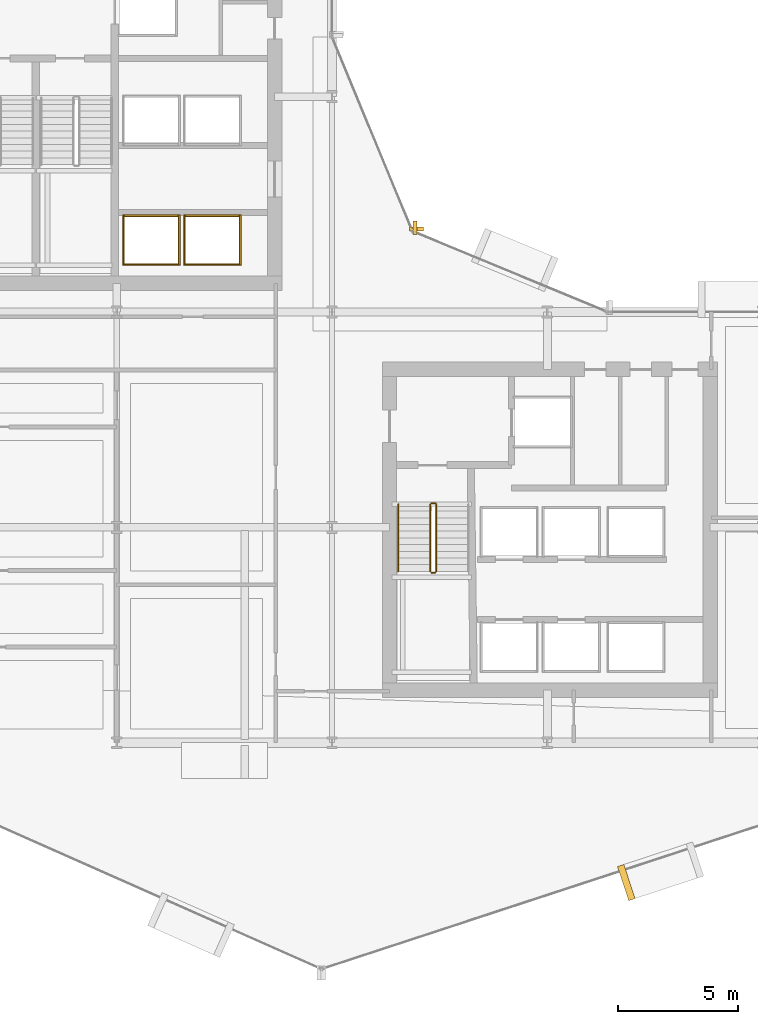
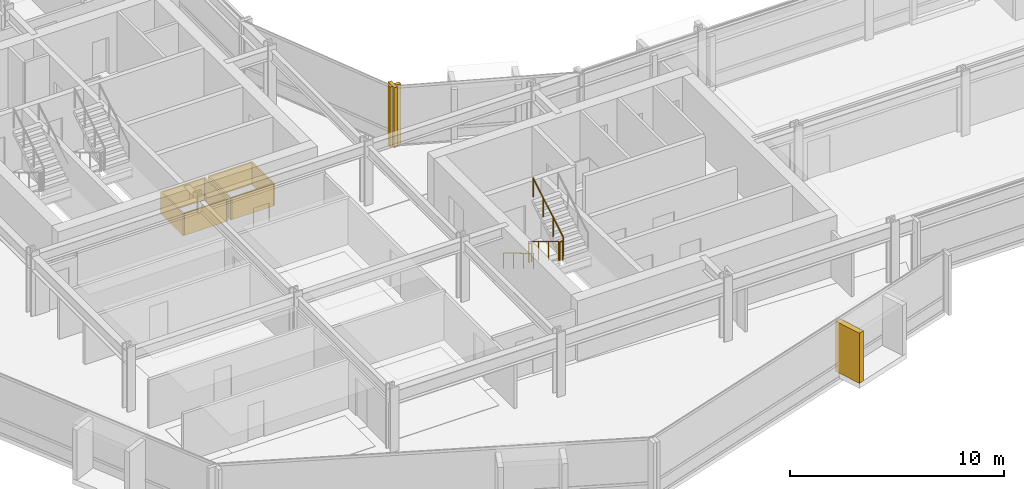
# One storey, part 31 of 34: 11 coverings, 5 railings.
"""IFC4 building model written with IfcOpenShell, lengths in metres."""

from ifc_helpers import new_model, si_unit, direction, frame, origin, origin_2d, place, context, subcontext, project, spatial, rectangle, circle, extrude, material, layer, layer_set, type_object, element, save


model = new_model("IFC4")

# Units and contexts
model_context = context("Model", 3, precision=1e-05, world=origin(), true_north=direction((0.0, 1.0)))
body_context = subcontext(model_context, "Body", "Model", "MODEL_VIEW")
ifc_project = project(units=[si_unit("LENGTHUNIT", "METRE"), si_unit("AREAUNIT", "SQUARE_METRE"), si_unit("VOLUMEUNIT", "CUBIC_METRE"), si_unit("PLANEANGLEUNIT", "RADIAN"), si_unit("MASSUNIT", "GRAM", prefix="KILO")], contexts=[model_context])

# Site, building, storey
site_placement = place(None, origin())
site = spatial("IfcSite", under=ifc_project, at=site_placement, CompositionType="ELEMENT")
building_placement = place(site_placement, origin())
building = spatial("IfcBuilding", under=site, at=building_placement, Name="Solvaryn Broadcast Tower", CompositionType="ELEMENT")
storey_placement = place(building_placement, frame((0.0, 0.0, 65.60009765625)))
storey = spatial("IfcBuildingStorey", under=building, at=storey_placement, Name="L15", CompositionType="ELEMENT", Elevation=65.60009765625)

# Coverings
ifc_material_1 = material(Name="Fire-Rated Gypsum Shaftwall Liner", Category="concrete")
ifc_layer_1 = layer(ifc_material_1, 0.080078125)
ifc_layer_set_1 = layer_set([ifc_layer_1], Name="CV-SHAFT-LINER")
covering_type_1 = type_object("IfcCoveringType", Name="CV-SHAFT-LINER", PredefinedType="CLADDING", material=ifc_layer_set_1)
for number, where, z_axis, x_axis, name in (
    (1, (19.449951171875, 31.014892578125, 0.0), (0.0, 0.0, 1.0), (1.0, 0.0, 0.0), "L15 PH1 Hoistway Shaft Liner North"),
    (2, (19.449951171875, 28.985107421875, 0.0), (0.0, 0.0, 1.0), (1.0, 0.0, 0.0), "L15 PH1 Hoistway Shaft Liner South"),
):
    element("IfcCovering", number, at=place(storey_placement, frame(where, z_axis=z_axis, x_axis=x_axis)), inside=storey, type_object=covering_type_1, Name=name, PredefinedType="CLADDING", context=body_context, shape_type="SweptSolid", body=[
        extrude(rectangle(XDim=2.409912109375, YDim=0.080078125, at=origin_2d()), origin(), (0.0, 0.0, 1.0), 1.25),
    ])
for number, where, z_axis, x_axis, name in (
    (3, (20.614990234375, 30.0, 0.0), (0.0, 0.0, 1.0), (1.0, 0.0, 0.0), "L15 PH1 Hoistway Shaft Liner East"),
    (4, (18.284912109375, 30.0, 0.0), (0.0, 0.0, 1.0), (1.0, 0.0, 0.0), "L15 PH1 Hoistway Shaft Liner West"),
):
    element("IfcCovering", number, at=place(storey_placement, frame(where, z_axis=z_axis, x_axis=x_axis)), inside=storey, type_object=covering_type_1, Name=name, PredefinedType="CLADDING", context=body_context, shape_type="SweptSolid", body=[
        extrude(rectangle(XDim=0.080078125, YDim=2.110107421875, at=origin_2d()), origin(), (0.0, 0.0, 1.0), 1.25),
    ])
for number, where, z_axis, x_axis, name in (
    (5, (22.0, 31.014892578125, 0.0), (0.0, 0.0, 1.0), (1.0, 0.0, 0.0), "L15 PH2 Hoistway Shaft Liner North"),
    (6, (22.0, 28.985107421875, 0.0), (0.0, 0.0, 1.0), (1.0, 0.0, 0.0), "L15 PH2 Hoistway Shaft Liner South"),
):
    element("IfcCovering", number, at=place(storey_placement, frame(where, z_axis=z_axis, x_axis=x_axis)), inside=storey, type_object=covering_type_1, Name=name, PredefinedType="CLADDING", context=body_context, shape_type="SweptSolid", body=[
        extrude(rectangle(XDim=2.409912109375, YDim=0.080078125, at=origin_2d()), origin(), (0.0, 0.0, 1.0), 1.25),
    ])
for number, where, z_axis, x_axis, name in (
    (7, (23.1650390625, 30.0, 0.0), (0.0, 0.0, 1.0), (1.0, 0.0, 0.0), "L15 PH2 Hoistway Shaft Liner East"),
    (8, (20.8349609375, 30.0, 0.0), (0.0, 0.0, 1.0), (1.0, 0.0, 0.0), "L15 PH2 Hoistway Shaft Liner West"),
):
    element("IfcCovering", number, at=place(storey_placement, frame(where, z_axis=z_axis, x_axis=x_axis)), inside=storey, type_object=covering_type_1, Name=name, PredefinedType="CLADDING", context=body_context, shape_type="SweptSolid", body=[
        extrude(rectangle(XDim=0.080078125, YDim=2.110107421875, at=origin_2d()), origin(), (0.0, 0.0, 1.0), 1.25),
    ])
ifc_material_2 = material(Name="Glazed Architectural Terracotta Rainscreen Cladding", Category="masonry")
ifc_layer_2 = layer(ifc_material_2, 0.280029296875)
ifc_layer_set_2 = layer_set([ifc_layer_2], Name="CV-TC-CLAD")
covering_type_2 = type_object("IfcCoveringType", Name="CV-TC-CLAD", PredefinedType="CLADDING", material=ifc_layer_set_2)
covering_1_placement = place(storey_placement, frame((39.298095703125, 3.155517578125, 0.27978515625), z_axis=(0.0, 0.0, 1.0), x_axis=(0.950189870912, 0.311671636848, 0.0)))
element("IfcCovering", 9, at=covering_1_placement, inside=storey, type_object=covering_type_2, Name="L15 Projecting Stone Window Box Cheek 4-1", PredefinedType="CLADDING", context=body_context, shape_type="SweptSolid", body=[
    extrude(rectangle(XDim=0.280029296875, YDim=1.5, at=origin_2d()), origin(), (0.0, 0.0, 1.0), 2.860107421875),
])
ifc_material_3 = material(Name="Extruded Architectural Terracotta Fin", Category="masonry")
ifc_layer_3 = layer(ifc_material_3, 0.179931640625)
ifc_layer_set_3 = layer_set([ifc_layer_3], Name="CV-TC-FIN")
covering_type_3 = type_object("IfcCoveringType", Name="CV-TC-FIN", PredefinedType="USERDEFINED", material=ifc_layer_set_3)
covering_2_placement = place(storey_placement, frame((30.464599609375, 30.52294921875, 0.0), z_axis=(0.0, 0.0, 1.0), x_axis=(1.0, 0.0, 0.0)))
element("IfcCovering", 10, at=covering_2_placement, inside=storey, type_object=covering_type_3, Name="L15 Terracotta Vertical Fin FIN-L15-CN1-M01", ObjectType="FIN", PredefinedType="USERDEFINED", context=body_context, shape_type="SweptSolid", body=[
    extrude(rectangle(XDim=0.179931640625, YDim=0.580078125, at=origin_2d()), origin(), (0.0, 0.0, 1.0), 3.419921875),
])
covering_3_placement = place(storey_placement, frame((30.52294921875, 30.464599609375, 0.0), z_axis=(0.0, 0.0, 1.0), x_axis=(1.0, 0.0, 0.0)))
element("IfcCovering", 11, at=covering_3_placement, inside=storey, type_object=covering_type_3, Name="L15 Terracotta Vertical Fin FIN-L15-CN2-M00", ObjectType="FIN", PredefinedType="USERDEFINED", context=body_context, shape_type="SweptSolid", body=[
    extrude(rectangle(XDim=0.580078125, YDim=0.179931640625, at=origin_2d()), origin(), (0.0, 0.0, 1.0), 3.419921875),
])

# Railings
ifc_material_4 = material(Name="Painted Steel Stair Well Guard", Category="steel")
railing_type_1 = type_object("IfcRailingType", Name="RL-STAIR-GUARD", PredefinedType="BALUSTRADE", material=ifc_material_4)
railing_1_placement = place(storey_placement, frame((31.110107421875, 18.9599609375, 0.16796875)))
element("IfcRailing", 12, at=railing_1_placement, inside=storey, type_object=railing_type_1, Name="L15 ST3 stair guard 1", PredefinedType="BALUSTRADE", context=body_context, shape_type="SweptSolid", body=[
    extrude(circle(Radius=0.02392578125, at=origin_2d()), frame((0.0, 0.0, 1.076171875), z_axis=(0.0, -0.857242210791, 0.514913383045), x_axis=(1.0, 0.0, 0.0)), (0.0, 0.0, 1.0), 3.266357421875),
    extrude(circle(Radius=0.02099609375, at=origin_2d()), origin(), (0.0, 0.0, 1.0), 1.052001953125),
    extrude(circle(Radius=0.02099609375, at=origin_2d()), frame((0.0, -0.933349609375, 0.560546875)), (0.0, 0.0, 1.0), 1.052001953125),
    extrude(circle(Radius=0.02099609375, at=origin_2d()), frame((0.0, -1.86669921875, 1.121337890625)), (0.0, 0.0, 1.0), 1.052001953125),
    extrude(circle(Radius=0.02099609375, at=origin_2d()), frame((0.0, -2.800048828125, 1.681884765625)), (0.0, 0.0, 1.0), 1.052001953125),
])
railing_2_placement = place(storey_placement, frame((31.159912109375, 16.110107421875, 1.849853515625)))
element("IfcRailing", 13, at=railing_2_placement, inside=storey, type_object=railing_type_1, Name="L15 ST3 stair guard 2", PredefinedType="BALUSTRADE", context=body_context, shape_type="SweptSolid", body=[
    extrude(circle(Radius=0.02392578125, at=origin_2d()), frame((0.0, 0.0, 1.076171875), z_axis=(1.0, 0.0, 0.0), x_axis=(0.0, 1.0, 0.0)), (0.0, 0.0, 1.0), 0.150146484375),
    extrude(circle(Radius=0.02099609375, at=origin_2d()), origin(), (0.0, 0.0, 1.0), 1.052001953125),
    extrude(circle(Radius=0.02099609375, at=origin_2d()), frame((0.150146484375, 0.0, 0.0)), (0.0, 0.0, 1.0), 1.052001953125),
])
railing_3_placement = place(storey_placement, frame((31.360107421875, 16.159912109375, 2.01806640625)))
element("IfcRailing", 14, at=railing_3_placement, inside=storey, type_object=railing_type_1, Name="L15 ST3 stair guard 3", PredefinedType="BALUSTRADE", context=body_context, shape_type="SweptSolid", body=[
    extrude(circle(Radius=0.02392578125, at=origin_2d()), frame((0.0, 0.0, 1.076171875), z_axis=(0.0, 0.857242210791, 0.514913383045), x_axis=(-1.0, 0.0, 0.0)), (0.0, 0.0, 1.0), 3.266357421875),
    extrude(circle(Radius=0.02099609375, at=origin_2d()), origin(), (0.0, 0.0, 1.0), 1.052001953125),
    extrude(circle(Radius=0.02099609375, at=origin_2d()), frame((0.0, 0.933349609375, 0.560546875)), (0.0, 0.0, 1.0), 1.052001953125),
    extrude(circle(Radius=0.02099609375, at=origin_2d()), frame((0.0, 1.86669921875, 1.121337890625)), (0.0, 0.0, 1.0), 1.052001953125),
    extrude(circle(Radius=0.02099609375, at=origin_2d()), frame((0.0, 2.800048828125, 1.681884765625)), (0.0, 0.0, 1.0), 1.052001953125),
])
railing_4_placement = place(storey_placement, frame((31.159912109375, 19.010009765625, 0.0)))
element("IfcRailing", 15, at=railing_4_placement, inside=storey, type_object=railing_type_1, Name="L15 ST3 stair guard 4", PredefinedType="BALUSTRADE", context=body_context, shape_type="SweptSolid", body=[
    extrude(circle(Radius=0.02392578125, at=origin_2d()), frame((0.0, 0.0, 1.076171875), z_axis=(1.0, 0.0, 0.0), x_axis=(0.0, 1.0, 0.0)), (0.0, 0.0, 1.0), 0.150146484375),
    extrude(circle(Radius=0.02099609375, at=origin_2d()), origin(), (0.0, 0.0, 1.0), 1.052001953125),
    extrude(circle(Radius=0.02099609375, at=origin_2d()), frame((0.150146484375, 0.0, 0.0)), (0.0, 0.0, 1.0), 1.052001953125),
])
ifc_material_5 = material(Name="Brushed Stainless Steel Tubular Handrail", Category="steel")
railing_type_2 = type_object("IfcRailingType", Name="RL-STAIR-HANDRAIL", PredefinedType="HANDRAIL", material=ifc_material_5)
railing_5_placement = place(storey_placement, frame((29.77001953125, 18.9599609375, 0.16796875)))
element("IfcRailing", 16, at=railing_5_placement, inside=storey, type_object=railing_type_2, Name="L15 ST3 stair handrail 1", PredefinedType="HANDRAIL", context=body_context, shape_type="SweptSolid", body=[
    extrude(circle(Radius=0.02392578125, at=origin_2d()), frame((0.0, 0.0, 0.8759765625), z_axis=(0.0, -0.857242210791, 0.514913383045), x_axis=(1.0, 0.0, 0.0)), (0.0, 0.0, 1.0), 3.266357421875),
    extrude(circle(Radius=0.02099609375, at=origin_2d()), origin(), (0.0, 0.0, 1.0), 0.851806640625),
    extrude(circle(Radius=0.02099609375, at=origin_2d()), frame((0.0, -0.933349609375, 0.560546875)), (0.0, 0.0, 1.0), 0.851806640625),
    extrude(circle(Radius=0.02099609375, at=origin_2d()), frame((0.0, -1.86669921875, 1.121337890625)), (0.0, 0.0, 1.0), 0.851806640625),
    extrude(circle(Radius=0.02099609375, at=origin_2d()), frame((0.0, -2.800048828125, 1.681884765625)), (0.0, 0.0, 1.0), 0.851806640625),
])

save(model, "model.ifc")
